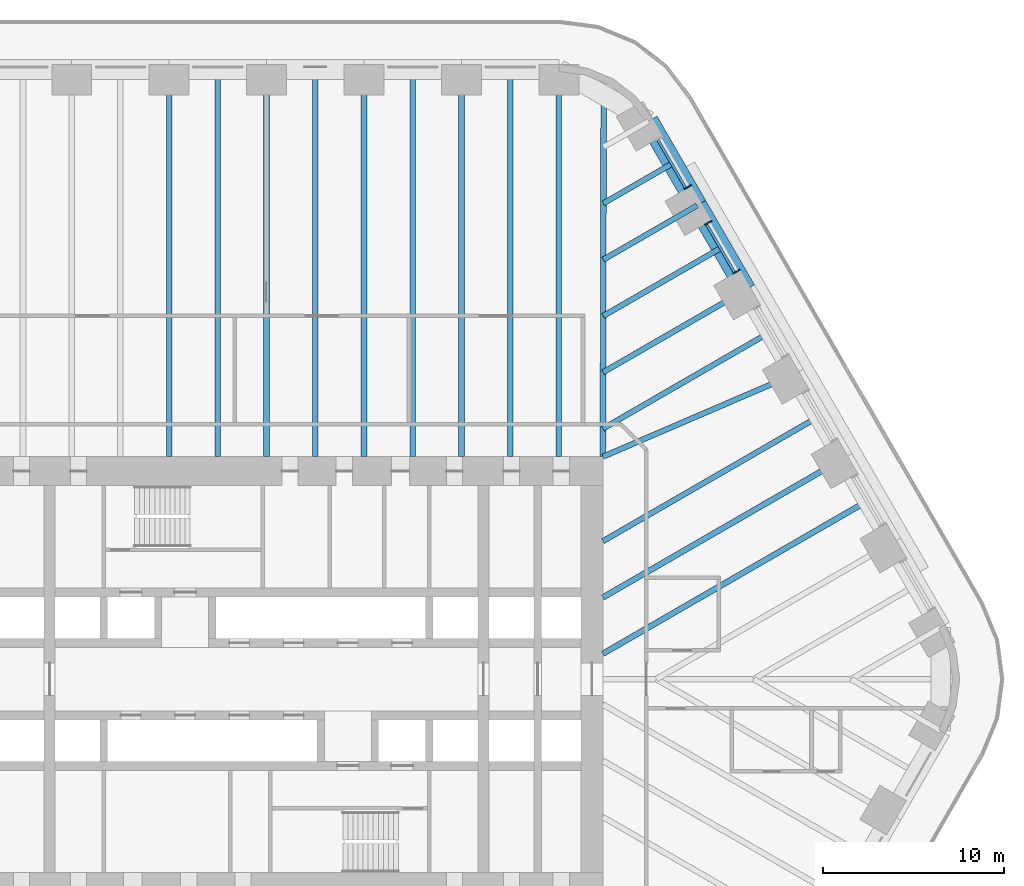
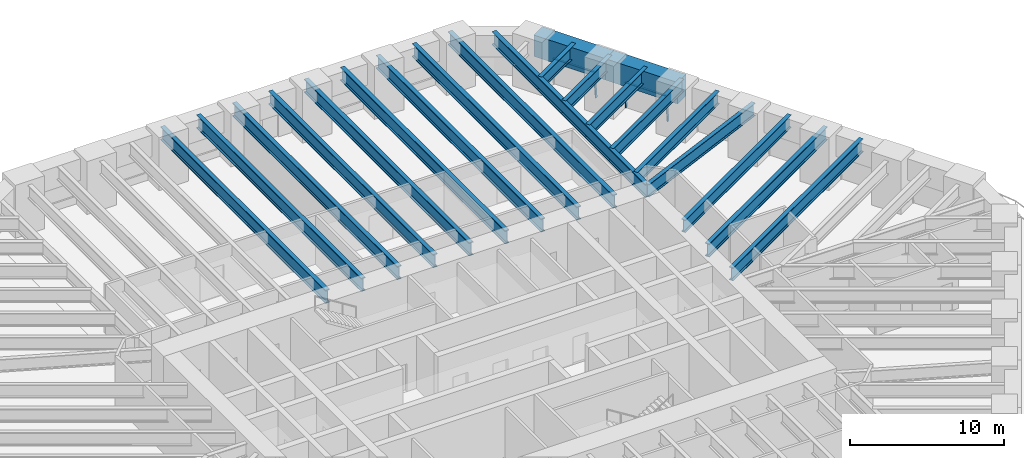
# One storey, part 5 of 16: 21 beams, 5 members, 2 elements without a shape of their own.
"""IFC4 building model written with IfcOpenShell, lengths in metres."""

from ifc_helpers import new_model, si_unit, direction, frame, origin, origin_2d, place, context, subcontext, project, spatial, rectangle, i_section, extrude, material, material_profile, profile_set, type_object, element, aggregate, save


model = new_model("IFC4")

# Units and contexts
model_context = context("Model", 3, precision=1e-05, world=origin(), true_north=direction((0.0, 1.0)))
body_context = subcontext(model_context, "Body", "Model", "MODEL_VIEW")
ifc_project = project(units=[si_unit("LENGTHUNIT", "METRE"), si_unit("AREAUNIT", "SQUARE_METRE"), si_unit("VOLUMEUNIT", "CUBIC_METRE"), si_unit("PLANEANGLEUNIT", "RADIAN"), si_unit("MASSUNIT", "GRAM", prefix="KILO")], contexts=[model_context])

# Site, building, storey
site_placement = place(None, origin())
site = spatial("IfcSite", under=ifc_project, at=site_placement, CompositionType="ELEMENT")
building_placement = place(site_placement, origin())
building = spatial("IfcBuilding", under=site, at=building_placement, Name="Tarfa Lantern Tower", CompositionType="ELEMENT")
storey_placement = place(building_placement, frame((0.0, 0.0, 103.300048828125)))
storey = spatial("IfcBuildingStorey", under=building, at=storey_placement, Name="L23", CompositionType="ELEMENT", Elevation=103.300048828125)

# Curtain wall, members
ifc_material_1 = material(Name="Aluminium framed curtain wall", Category="aluminium")
curtain_wall_type = type_object("IfcCurtainWallType", Name="CW1 CANTED GLAZING LOW ZONE 2200", PredefinedType="USERDEFINED", material=ifc_material_1)
curtain_wall_1_placement = place(storey_placement, origin())
curtain_wall_1 = element("IfcCurtainWall", 1, at=curtain_wall_1_placement, inside=storey, type_object=curtain_wall_type, Name="CW1 NE L23", ObjectType="CURTAIN WALL", PredefinedType="USERDEFINED")
ifc_material_2 = material(Name="Aluminium mullion", Category="aluminium")
ifc_material_profile_1 = material_profile(ifc_material_2, rectangle(XDim=0.06494140625, YDim=0.199951171875, at=origin_2d()), Name="AL MULLION 65x200")
ifc_profile_set_1 = profile_set([ifc_material_profile_1], Name="Aluminium mullion")
member_type_1 = type_object("IfcMemberType", Name="CWM1 MULLION 65x200", PredefinedType="MULLION", material=ifc_profile_set_1)
member_1_placement = place(storey_placement, frame((26.09765625, 22.597412109375, 0.0), z_axis=(-0.097805549444, -0.056455965406, 0.993602938033), x_axis=(0.499919672301, -0.866071776036, 0.0)))
member_1 = element("IfcMember", 2, at=member_1_placement, type_object=member_type_1, Name="CW1 mullion 1", PredefinedType="MULLION", context=body_context, shape_type="SweptSolid", body=[
    extrude(rectangle(XDim=0.06494140625, YDim=0.199951171875, at=origin_2d()), origin(), (0.0, 0.0, 1.0), 2.214111328125),
])
member_2_placement = place(storey_placement, frame((24.535888671875, 25.302490234375, 0.0), z_axis=(-0.097805549444, -0.056455965406, 0.993602938033), x_axis=(0.499919672301, -0.866071776036, 0.0)))
member_2 = element("IfcMember", 3, at=member_2_placement, type_object=member_type_1, Name="CW1 mullion 2", PredefinedType="MULLION", context=body_context, shape_type="SweptSolid", body=[
    extrude(rectangle(XDim=0.06494140625, YDim=0.199951171875, at=origin_2d()), origin(), (0.0, 0.0, 1.0), 2.214111328125),
])

# Curtain wall, member
curtain_wall_2_placement = place(storey_placement, origin())
curtain_wall_2 = element("IfcCurtainWall", 4, at=curtain_wall_2_placement, inside=storey, type_object=curtain_wall_type, Name="CW1 NE L23", ObjectType="CURTAIN WALL", PredefinedType="USERDEFINED")
member_3_placement = place(storey_placement, frame((23.4033203125, 27.26416015625, 0.0), z_axis=(-0.097696336912, -0.056456573927, 0.99361364776), x_axis=(0.500342721131, -0.865827443207, 0.0)))
member_3 = element("IfcMember", 5, at=member_3_placement, type_object=member_type_1, Name="CW1 mullion 1", PredefinedType="MULLION", context=body_context, shape_type="SweptSolid", body=[
    extrude(rectangle(XDim=0.06494140625, YDim=0.199951171875, at=origin_2d()), origin(), (0.0, 0.0, 1.0), 2.214111328125),
])

# Member
ifc_material_3 = material(Name="Aluminium transom", Category="aluminium")
ifc_material_profile_2 = material_profile(ifc_material_3, rectangle(XDim=0.14990234375, YDim=0.06494140625, at=origin_2d()), Name="AL TRANSOM 150x65")
ifc_profile_set_2 = profile_set([ifc_material_profile_2], Name="Aluminium transom")
member_type_2 = type_object("IfcMemberType", Name="CWT1 TRANSOM 150x65", PredefinedType="USERDEFINED", material=ifc_profile_set_2)
member_4_placement = place(storey_placement, frame((25.8681640625, 22.50244140625, 2.16748046875), z_axis=(-0.499985008713, 0.866034058835, 0.0), x_axis=(-0.866034058835, -0.499985008713, 0.0)))
member_4 = element("IfcMember", 6, at=member_4_placement, type_object=member_type_2, Name="CW1 transom 1.2", ObjectType="TRANSOM", PredefinedType="USERDEFINED", context=body_context, shape_type="SweptSolid", body=[
    extrude(rectangle(XDim=0.14990234375, YDim=0.06494140625, at=origin_2d()), origin(), (0.0, 0.0, 1.0), 3.05859375),
])

aggregate(curtain_wall_1, [member_1, member_2, member_4])

member_5_placement = place(storey_placement, frame((23.173828125, 27.169189453125, 2.16748046875), z_axis=(-0.500019572571, 0.86601410326, 0.0), x_axis=(-0.86601410326, -0.500019572571, 0.0)))
member_5 = element("IfcMember", 7, at=member_5_placement, type_object=member_type_2, Name="CW1 transom 1.2", ObjectType="TRANSOM", PredefinedType="USERDEFINED", context=body_context, shape_type="SweptSolid", body=[
    extrude(rectangle(XDim=0.14990234375, YDim=0.06494140625, at=origin_2d()), origin(), (0.0, 0.0, 1.0), 3.05859375),
])

aggregate(curtain_wall_2, [member_3, member_5])

# Beams
ifc_material_4 = material(Name="Concrete C80/95", Category="concrete")
ifc_material_profile_3 = material_profile(ifc_material_4, rectangle(XDim=1.10009765625, YDim=1.699951171875, at=origin_2d()), Name="RC 1100x1700")
ifc_profile_set_3 = profile_set([ifc_material_profile_3], Name="Concrete C80/95")
beam_type_1 = type_object("IfcBeamType", Name="RB1 RC 1100x1700", PredefinedType="BEAM", material=ifc_profile_set_3)
for number, where, z_axis, x_axis, name in (
    (8, (26.508056640625, 21.526611328125, 3.050048828125), (-0.499998287579, 0.866026392449, 0.0), (-0.866026392449, -0.499998287579, 0.0), "Edge beam NE4"),
    (9, (23.813720703125, 26.193359375, 3.050048828125), (-0.499998287579, 0.866026392449, 0.0), (-0.866026392449, -0.499998287579, 0.0), "Edge beam NE5"),
):
    element("IfcBeam", number, at=place(storey_placement, frame(where, z_axis=z_axis, x_axis=x_axis)), inside=storey, type_object=beam_type_1, Name=name, PredefinedType="BEAM", context=body_context, shape_type="SweptSolid", body=[
        extrude(rectangle(XDim=1.10009765625, YDim=1.699951171875, at=origin_2d()), origin(), (0.0, 0.0, 1.0), 5.388671875),
    ])
ifc_material_5 = material(Name="Steel S460M", Category="steel")
ifc_material_profile_4 = material_profile(ifc_material_5, i_section(OverallWidth=0.302001953125, OverallDepth=1.008056640625, WebThickness=0.02099609375, FlangeThickness=0.0400390625, FilletRadius=0.030029296875, at=origin_2d()), Name="UB1016x305x349")
ifc_profile_set_4 = profile_set([ifc_material_profile_4], Name="Steel S460M")
beam_type_2 = type_object("IfcBeamType", Name="UB1016x305x349", PredefinedType="BEAM", material=ifc_profile_set_4)
beam_1_placement = place(storey_placement, frame((29.202392578125, 16.860107421875, 3.39599609375), z_axis=(-0.918635483867, -0.395106122175, 0.0), x_axis=(0.395106122175, -0.918635483867, 0.0)))
element("IfcBeam", 10, at=beam_1_placement, inside=storey, type_object=beam_type_2, Name="Floor beam NE3", PredefinedType="BEAM", context=body_context, shape_type="SweptSolid", body=[
    extrude(i_section(OverallWidth=0.302001953125, OverallDepth=1.008056640625, WebThickness=0.02099609375, FlangeThickness=0.0400390625, FilletRadius=0.030029296875, at=origin_2d()), origin(), (0.0, 0.0, 1.0), 11.541259765625),
])
beam_2_placement = place(storey_placement, frame((26.508056640625, 21.526611328125, 3.39599609375), z_axis=(-0.866035355799, -0.49998276221, 0.0), x_axis=(0.49998276221, -0.866035355799, 0.0)))
element("IfcBeam", 11, at=beam_2_placement, inside=storey, type_object=beam_type_2, Name="Floor beam NE4", PredefinedType="BEAM", context=body_context, shape_type="SweptSolid", body=[
    extrude(i_section(OverallWidth=0.302001953125, OverallDepth=1.008056640625, WebThickness=0.02099609375, FlangeThickness=0.0400390625, FilletRadius=0.030029296875, at=origin_2d()), origin(), (0.0, 0.0, 1.0), 9.119873046875),
])
beam_3_placement = place(storey_placement, frame((23.813720703125, 26.193359375, 3.39599609375), z_axis=(-0.866015997389, -0.500016292001, 0.0), x_axis=(0.500016292001, -0.866015997389, 0.0)))
element("IfcBeam", 12, at=beam_3_placement, inside=storey, type_object=beam_type_2, Name="Floor beam NE5", PredefinedType="BEAM", context=body_context, shape_type="SweptSolid", body=[
    extrude(i_section(OverallWidth=0.302001953125, OverallDepth=1.008056640625, WebThickness=0.02099609375, FlangeThickness=0.0400390625, FilletRadius=0.030029296875, at=origin_2d()), origin(), (0.0, 0.0, 1.0), 5.993408203125),
])
beam_4_placement = place(storey_placement, frame((30.549560546875, 14.526611328125, 3.39599609375), z_axis=(-0.866028536827, -0.499994573371, 0.0), x_axis=(0.499994573371, -0.866028536827, 0.0)))
element("IfcBeam", 13, at=beam_4_placement, inside=storey, type_object=beam_type_2, Name="Floor beam NE2M", PredefinedType="BEAM", context=body_context, shape_type="SweptSolid", body=[
    extrude(i_section(OverallWidth=0.302001953125, OverallDepth=1.008056640625, WebThickness=0.02099609375, FlangeThickness=0.0400390625, FilletRadius=0.030029296875, at=origin_2d()), origin(), (0.0, 0.0, 1.0), 13.798095703125),
])
beam_5_placement = place(storey_placement, frame((27.855224609375, 19.193359375, 3.39599609375), z_axis=(-0.866028034017, -0.499995444275, 0.0), x_axis=(0.499995444275, -0.866028034017, 0.0)))
element("IfcBeam", 14, at=beam_5_placement, inside=storey, type_object=beam_type_2, Name="Floor beam NE3M", PredefinedType="BEAM", context=body_context, shape_type="SweptSolid", body=[
    extrude(i_section(OverallWidth=0.302001953125, OverallDepth=1.008056640625, WebThickness=0.02099609375, FlangeThickness=0.0400390625, FilletRadius=0.030029296875, at=origin_2d()), origin(), (0.0, 0.0, 1.0), 10.68310546875),
])
beam_6_placement = place(storey_placement, frame((25.160888671875, 23.860107421875, 3.39599609375), z_axis=(-0.866009650502, -0.500027284493, 0.0), x_axis=(0.500027284493, -0.866009650502, 0.0)))
element("IfcBeam", 15, at=beam_6_placement, inside=storey, type_object=beam_type_2, Name="Floor beam NE4M", PredefinedType="BEAM", context=body_context, shape_type="SweptSolid", body=[
    extrude(i_section(OverallWidth=0.302001953125, OverallDepth=1.008056640625, WebThickness=0.02099609375, FlangeThickness=0.0400390625, FilletRadius=0.030029296875, at=origin_2d()), origin(), (0.0, 0.0, 1.0), 7.556640625),
])
beam_7_placement = place(storey_placement, frame((22.466552734375, 28.526611328125, 3.39599609375), z_axis=(-0.866026823135, -0.499997541604, 0.0), x_axis=(0.499997541604, -0.866026823135, 0.0)))
element("IfcBeam", 16, at=beam_7_placement, inside=storey, type_object=beam_type_2, Name="Floor beam NE5M", PredefinedType="BEAM", context=body_context, shape_type="SweptSolid", body=[
    extrude(i_section(OverallWidth=0.302001953125, OverallDepth=1.008056640625, WebThickness=0.02099609375, FlangeThickness=0.0400390625, FilletRadius=0.030029296875, at=origin_2d()), origin(), (0.0, 0.0, 1.0), 4.43017578125),
])
ifc_material_profile_5 = material_profile(ifc_material_5, i_section(OverallWidth=0.314208984375, OverallDepth=1.055908203125, WebThickness=0.035888671875, FlangeThickness=0.06396484375, FilletRadius=0.030029296875, at=origin_2d()), Name="UB1016x305x584")
ifc_profile_set_5 = profile_set([ifc_material_profile_5], Name="Steel S460M")
beam_type_3 = type_object("IfcBeamType", Name="UB1016x305x584", PredefinedType="BEAM", material=ifc_profile_set_5)
beam_8_placement = place(storey_placement, frame((18.60009765625, 12.300048828125, 3.3720703125), z_axis=(0.00212508222, 0.99999774201, 0.0), x_axis=(-0.99999774201, 0.00212508222, 0.0)))
element("IfcBeam", 17, at=beam_8_placement, inside=storey, type_object=beam_type_3, Name="Hip girder NE", PredefinedType="BEAM", context=body_context, shape_type="SweptSolid", body=[
    extrude(i_section(OverallWidth=0.314208984375, OverallDepth=1.055908203125, WebThickness=0.035888671875, FlangeThickness=0.06396484375, FilletRadius=0.030029296875, at=origin_2d()), origin(), (0.0, 0.0, 1.0), 19.989990234375),
])
beam_9_placement = place(storey_placement, frame((31.896728515625, 12.193359375, 3.3720703125), z_axis=(-0.866026971665, -0.499997284341, 0.0), x_axis=(0.499997284341, -0.866026971665, 0.0)))
element("IfcBeam", 18, at=beam_9_placement, inside=storey, type_object=beam_type_3, Name="Floor beam NE2", PredefinedType="BEAM", context=body_context, shape_type="SweptSolid", body=[
    extrude(i_section(OverallWidth=0.314208984375, OverallDepth=1.055908203125, WebThickness=0.035888671875, FlangeThickness=0.06396484375, FilletRadius=0.030029296875, at=origin_2d()), origin(), (0.0, 0.0, 1.0), 15.353515625),
])
for number, where, z_axis, x_axis, name in (
    (19, (16.165771484375, 33.719970703125, 3.3720703125), (0.0, -1.0, 0.0), (1.0, 0.0, 0.0), "Floor beam N0"),
    (20, (10.777099609375, 33.719970703125, 3.3720703125), (0.0, -1.0, 0.0), (1.0, 0.0, 0.0), "Floor beam N1"),
    (21, (5.388671875, 33.719970703125, 3.3720703125), (0.0, -1.0, 0.0), (1.0, 0.0, 0.0), "Floor beam N2"),
    (22, (0.0, 33.719970703125, 3.3720703125), (0.0, -1.0, 0.0), (1.0, 0.0, 0.0), "Floor beam N3"),
    (23, (-5.388671875, 33.719970703125, 3.3720703125), (0.0, -1.0, 0.0), (1.0, 0.0, 0.0), "Floor beam N4"),
):
    element("IfcBeam", number, at=place(storey_placement, frame(where, z_axis=z_axis, x_axis=x_axis)), inside=storey, type_object=beam_type_3, Name=name, PredefinedType="BEAM", context=body_context, shape_type="SweptSolid", body=[
        extrude(i_section(OverallWidth=0.314208984375, OverallDepth=1.055908203125, WebThickness=0.035888671875, FlangeThickness=0.06396484375, FilletRadius=0.030029296875, at=origin_2d()), origin(), (0.0, 0.0, 1.0), 21.419921875),
    ])
beam_10_placement = place(storey_placement, frame((33.243896484375, 9.860107421875, 3.3720703125), z_axis=(-0.866019442478, -0.500010325144, 0.0), x_axis=(0.500010325144, -0.866019442478, 0.0)))
element("IfcBeam", 24, at=beam_10_placement, inside=storey, type_object=beam_type_3, Name="Floor beam NE1M", PredefinedType="BEAM", context=body_context, shape_type="SweptSolid", body=[
    extrude(i_section(OverallWidth=0.314208984375, OverallDepth=1.055908203125, WebThickness=0.035888671875, FlangeThickness=0.06396484375, FilletRadius=0.030029296875, at=origin_2d()), origin(), (0.0, 0.0, 1.0), 16.909423828125),
])
for number, where, z_axis, x_axis, name in (
    (25, (13.471435546875, 33.719970703125, 3.3720703125), (0.0, -1.0, 0.0), (1.0, 0.0, 0.0), "Floor beam N0M"),
    (26, (8.0830078125, 33.719970703125, 3.3720703125), (0.0, -1.0, 0.0), (1.0, 0.0, 0.0), "Floor beam N1M"),
    (27, (2.6943359375, 33.719970703125, 3.3720703125), (0.0, -1.0, 0.0), (1.0, 0.0, 0.0), "Floor beam N2M"),
    (28, (-2.6943359375, 33.719970703125, 3.3720703125), (0.0, -1.0, 0.0), (1.0, 0.0, 0.0), "Floor beam N3M"),
):
    element("IfcBeam", number, at=place(storey_placement, frame(where, z_axis=z_axis, x_axis=x_axis)), inside=storey, type_object=beam_type_3, Name=name, PredefinedType="BEAM", context=body_context, shape_type="SweptSolid", body=[
        extrude(i_section(OverallWidth=0.314208984375, OverallDepth=1.055908203125, WebThickness=0.035888671875, FlangeThickness=0.06396484375, FilletRadius=0.030029296875, at=origin_2d()), origin(), (0.0, 0.0, 1.0), 21.419921875),
    ])

save(model, "model.ifc")
